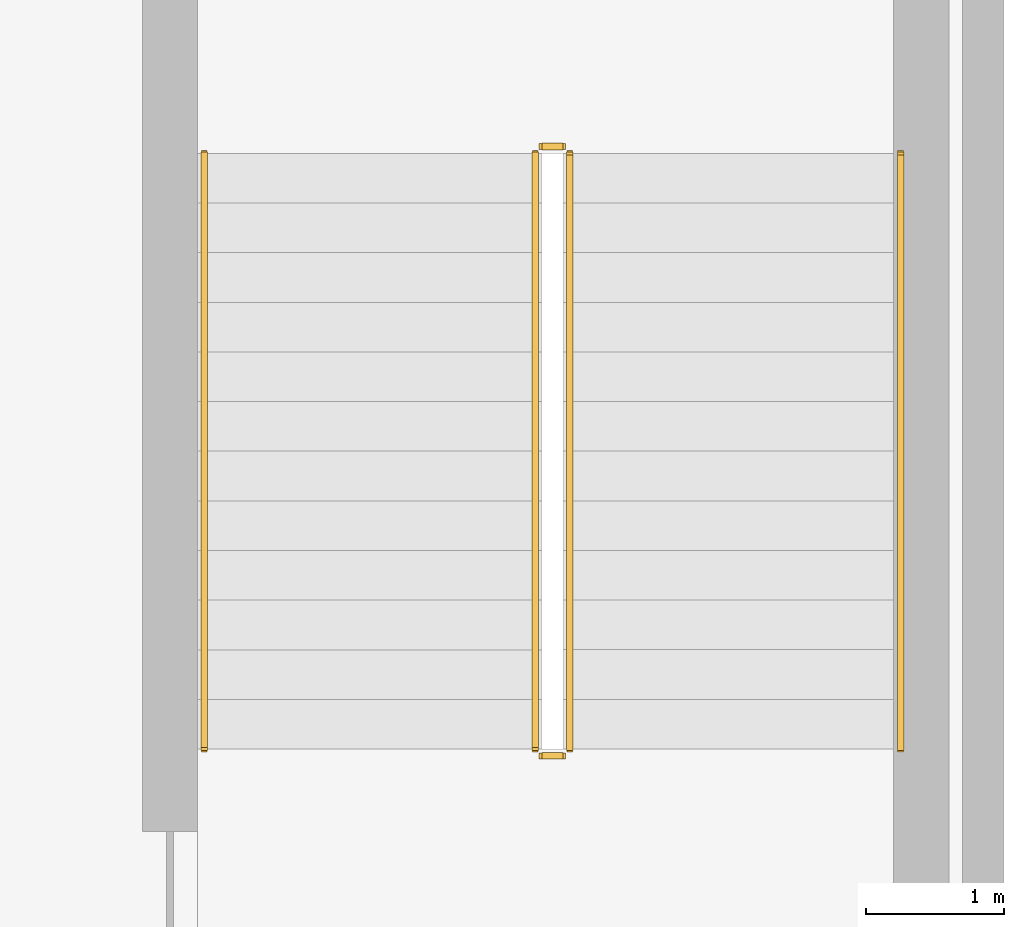
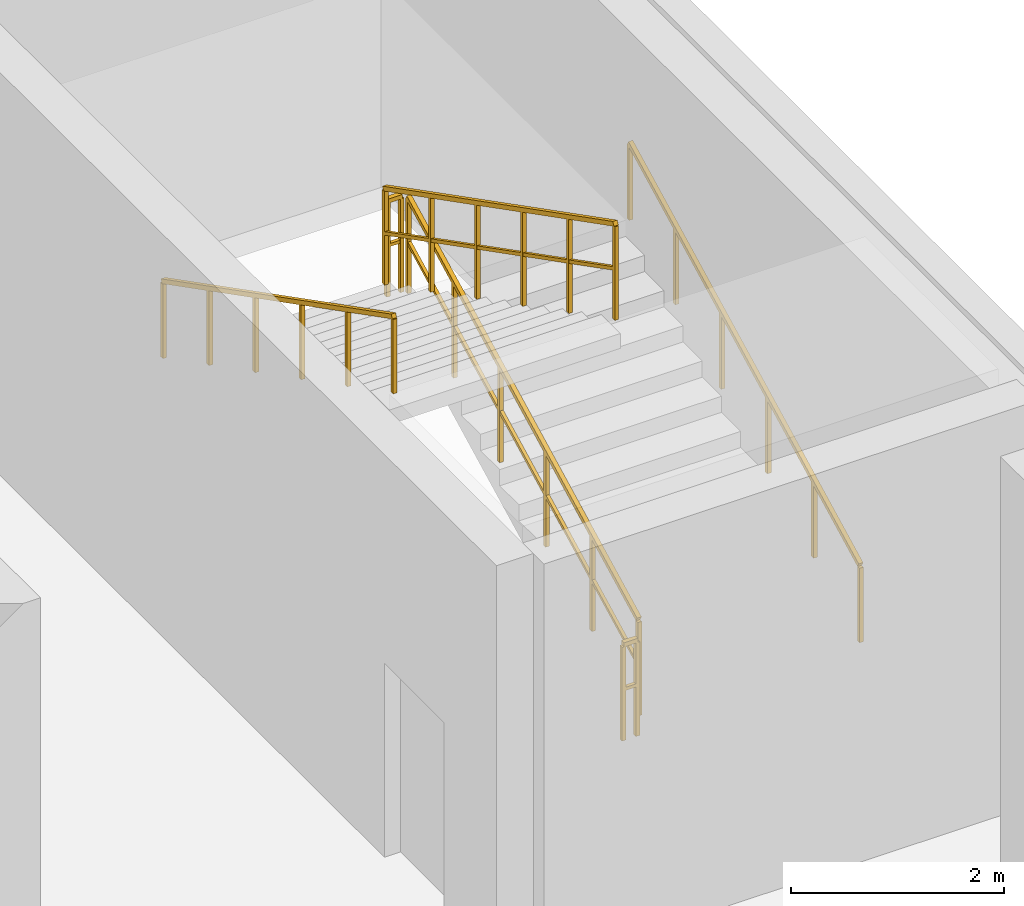
# One storey, part 32 of 33: 6 railings.
"""IFC4 building model written with IfcOpenShell, lengths in metres."""

from ifc_helpers import new_model, si_unit, direction, frame, origin, origin_2d, place, context, subcontext, project, spatial, rectangle, extrude, material, type_object, element, save


model = new_model("IFC4")

# Units and contexts
model_context = context("Model", 3, precision=1e-05, world=origin(), true_north=direction((0.0, 1.0)))
body_context = subcontext(model_context, "Body", "Model", "MODEL_VIEW")
ifc_project = project(units=[si_unit("LENGTHUNIT", "METRE"), si_unit("AREAUNIT", "SQUARE_METRE"), si_unit("VOLUMEUNIT", "CUBIC_METRE"), si_unit("PLANEANGLEUNIT", "RADIAN"), si_unit("MASSUNIT", "GRAM", prefix="KILO")], contexts=[model_context])

# Site, building, storey
site_placement = place(None, origin())
site = spatial("IfcSite", under=ifc_project, at=site_placement, CompositionType="ELEMENT")
building_placement = place(site_placement, origin())
building = spatial("IfcBuilding", under=site, at=building_placement, Name="Zuhayl Quay Hotel", CompositionType="ELEMENT")
storey_placement = place(building_placement, frame((0.0, 0.0, 18.0)))
storey = spatial("IfcBuildingStorey", under=building, at=storey_placement, Name="L03", CompositionType="ELEMENT", Elevation=18.0)

# Railings
ifc_material = material(Name="Steel ASTM A992 Grade 50", Category="steel")
railing_type_1 = type_object("IfcRailingType", Name="RL_GUARD_1100", PredefinedType="GUARDRAIL", material=ifc_material)
railing_1_placement = place(storey_placement, frame((33.0, 4.10009765625, 0.1845703125)))
element("IfcRailing", 1, at=railing_1_placement, inside=storey, type_object=railing_type_1, Name="L03 ST4 stair guard 1", PredefinedType="GUARDRAIL", context=body_context, shape_type="SweptSolid", body=[
    extrude(rectangle(XDim=0.048095703125, YDim=0.048095703125, at=origin_2d()), frame((0.0, 0.0, 1.09619140625), z_axis=(0.0, 0.889814321363, 0.456322773372), x_axis=(-1.0, 0.0, 0.0)), (0.0, 0.0, 1.0), 4.854736328125),
    extrude(rectangle(XDim=0.0361328125, YDim=0.0361328125, at=origin_2d()), frame((0.0, 0.0, 0.58251953125), z_axis=(0.0, 0.889814321363, 0.456322773372), x_axis=(-1.0, 0.0, 0.0)), (0.0, 0.0, 1.0), 4.854736328125),
    extrude(rectangle(XDim=0.0419921875, YDim=0.0419921875, at=origin_2d()), origin(), (0.0, 0.0, 1.0), 1.072021484375),
    extrude(rectangle(XDim=0.0419921875, YDim=0.0419921875, at=origin_2d()), frame((0.0, 0.864013671875, 0.443115234375)), (0.0, 0.0, 1.0), 1.072021484375),
    extrude(rectangle(XDim=0.0419921875, YDim=0.0419921875, at=origin_2d()), frame((0.0, 1.72802734375, 0.88623046875)), (0.0, 0.0, 1.0), 1.072021484375),
    extrude(rectangle(XDim=0.0419921875, YDim=0.0419921875, at=origin_2d()), frame((0.0, 2.591796875, 1.3291015625)), (0.0, 0.0, 1.0), 1.072021484375),
    extrude(rectangle(XDim=0.0419921875, YDim=0.0419921875, at=origin_2d()), frame((0.0, 3.455810546875, 1.772216796875)), (0.0, 0.0, 1.0), 1.072021484375),
    extrude(rectangle(XDim=0.0419921875, YDim=0.0419921875, at=origin_2d()), frame((0.0, 4.31982421875, 2.21533203125)), (0.0, 0.0, 1.0), 1.072021484375),
])
railing_2_placement = place(storey_placement, frame((32.949951171875, 8.469970703125, 2.39990234375)))
element("IfcRailing", 2, at=railing_2_placement, inside=storey, type_object=railing_type_1, Name="L03 ST4 stair guard 2", PredefinedType="GUARDRAIL", context=body_context, shape_type="SweptSolid", body=[
    extrude(rectangle(XDim=0.048095703125, YDim=0.048095703125, at=origin_2d()), frame((0.0, 0.0, 1.09619140625), z_axis=(-1.0, 0.0, 0.0), x_axis=(0.0, -1.0, 0.0)), (0.0, 0.0, 1.0), 0.14990234375),
    extrude(rectangle(XDim=0.0361328125, YDim=0.0361328125, at=origin_2d()), frame((0.0, 0.0, 0.58251953125), z_axis=(-1.0, 0.0, 0.0), x_axis=(0.0, -1.0, 0.0)), (0.0, 0.0, 1.0), 0.14990234375),
    extrude(rectangle(XDim=0.0419921875, YDim=0.0419921875, at=origin_2d()), origin(), (0.0, 0.0, 1.0), 1.072021484375),
    extrude(rectangle(XDim=0.0419921875, YDim=0.0419921875, at=origin_2d()), frame((-0.14990234375, 0.0, 0.0)), (0.0, 0.0, 1.0), 1.072021484375),
])
railing_3_placement = place(storey_placement, frame((32.75, 8.419921875, 2.584716796875)))
element("IfcRailing", 3, at=railing_3_placement, inside=storey, type_object=railing_type_1, Name="L03 ST4 stair guard 3", PredefinedType="GUARDRAIL", context=body_context, shape_type="SweptSolid", body=[
    extrude(rectangle(XDim=0.048095703125, YDim=0.048095703125, at=origin_2d()), frame((0.0, 0.0, 1.09619140625), z_axis=(0.0, -0.889814321363, 0.456322773372), x_axis=(1.0, 0.0, 0.0)), (0.0, 0.0, 1.0), 4.854736328125),
    extrude(rectangle(XDim=0.0361328125, YDim=0.0361328125, at=origin_2d()), frame((0.0, 0.0, 0.58251953125), z_axis=(0.0, -0.889814321363, 0.456322773372), x_axis=(1.0, 0.0, 0.0)), (0.0, 0.0, 1.0), 4.854736328125),
    extrude(rectangle(XDim=0.0419921875, YDim=0.0419921875, at=origin_2d()), origin(), (0.0, 0.0, 1.0), 1.072021484375),
    extrude(rectangle(XDim=0.0419921875, YDim=0.0419921875, at=origin_2d()), frame((0.0, -0.864013671875, 0.443115234375)), (0.0, 0.0, 1.0), 1.072021484375),
    extrude(rectangle(XDim=0.0419921875, YDim=0.0419921875, at=origin_2d()), frame((0.0, -1.72802734375, 0.88623046875)), (0.0, 0.0, 1.0), 1.072021484375),
    extrude(rectangle(XDim=0.0419921875, YDim=0.0419921875, at=origin_2d()), frame((0.0, -2.591796875, 1.3291015625)), (0.0, 0.0, 1.0), 1.072021484375),
    extrude(rectangle(XDim=0.0419921875, YDim=0.0419921875, at=origin_2d()), frame((0.0, -3.455810546875, 1.772216796875)), (0.0, 0.0, 1.0), 1.072021484375),
    extrude(rectangle(XDim=0.0419921875, YDim=0.0419921875, at=origin_2d()), frame((0.0, -4.31982421875, 2.21533203125)), (0.0, 0.0, 1.0), 1.072021484375),
])
railing_4_placement = place(storey_placement, frame((32.949951171875, 4.050048828125, 0.0)))
element("IfcRailing", 4, at=railing_4_placement, inside=storey, type_object=railing_type_1, Name="L03 ST4 stair guard 4", PredefinedType="GUARDRAIL", context=body_context, shape_type="SweptSolid", body=[
    extrude(rectangle(XDim=0.048095703125, YDim=0.048095703125, at=origin_2d()), frame((0.0, 0.0, 1.09619140625), z_axis=(-1.0, 0.0, 0.0), x_axis=(0.0, -1.0, 0.0)), (0.0, 0.0, 1.0), 0.14990234375),
    extrude(rectangle(XDim=0.0361328125, YDim=0.0361328125, at=origin_2d()), frame((0.0, 0.0, 0.58251953125), z_axis=(-1.0, 0.0, 0.0), x_axis=(0.0, -1.0, 0.0)), (0.0, 0.0, 1.0), 0.14990234375),
    extrude(rectangle(XDim=0.0419921875, YDim=0.0419921875, at=origin_2d()), origin(), (0.0, 0.0, 1.0), 1.072021484375),
    extrude(rectangle(XDim=0.0419921875, YDim=0.0419921875, at=origin_2d()), frame((-0.14990234375, 0.0, 0.0)), (0.0, 0.0, 1.0), 1.072021484375),
])
railing_type_2 = type_object("IfcRailingType", Name="RL_HANDRAIL_920", PredefinedType="HANDRAIL", material=ifc_material)
railing_5_placement = place(storey_placement, frame((35.39990234375, 4.10009765625, 0.1845703125)))
element("IfcRailing", 5, at=railing_5_placement, inside=storey, type_object=railing_type_2, Name="L03 ST4 stair handrail 1", PredefinedType="HANDRAIL", context=body_context, shape_type="SweptSolid", body=[
    extrude(rectangle(XDim=0.048095703125, YDim=0.048095703125, at=origin_2d()), frame((0.0, 0.0, 0.8759765625), z_axis=(0.0, 0.889814321363, 0.456322773372), x_axis=(-1.0, 0.0, 0.0)), (0.0, 0.0, 1.0), 4.854736328125),
    extrude(rectangle(XDim=0.0419921875, YDim=0.0419921875, at=origin_2d()), origin(), (0.0, 0.0, 1.0), 0.851806640625),
    extrude(rectangle(XDim=0.0419921875, YDim=0.0419921875, at=origin_2d()), frame((0.0, 0.864013671875, 0.443115234375)), (0.0, 0.0, 1.0), 0.851806640625),
    extrude(rectangle(XDim=0.0419921875, YDim=0.0419921875, at=origin_2d()), frame((0.0, 1.72802734375, 0.88623046875)), (0.0, 0.0, 1.0), 0.851806640625),
    extrude(rectangle(XDim=0.0419921875, YDim=0.0419921875, at=origin_2d()), frame((0.0, 2.591796875, 1.3291015625)), (0.0, 0.0, 1.0), 0.851806640625),
    extrude(rectangle(XDim=0.0419921875, YDim=0.0419921875, at=origin_2d()), frame((0.0, 3.455810546875, 1.772216796875)), (0.0, 0.0, 1.0), 0.851806640625),
    extrude(rectangle(XDim=0.0419921875, YDim=0.0419921875, at=origin_2d()), frame((0.0, 4.31982421875, 2.21533203125)), (0.0, 0.0, 1.0), 0.851806640625),
])
railing_6_placement = place(storey_placement, frame((30.35009765625, 8.419921875, 2.584716796875)))
element("IfcRailing", 6, at=railing_6_placement, inside=storey, type_object=railing_type_2, Name="L03 ST4 stair handrail 2", PredefinedType="HANDRAIL", context=body_context, shape_type="SweptSolid", body=[
    extrude(rectangle(XDim=0.048095703125, YDim=0.048095703125, at=origin_2d()), frame((0.0, 0.0, 0.8759765625), z_axis=(0.0, -0.889814321363, 0.456322773372), x_axis=(1.0, 0.0, 0.0)), (0.0, 0.0, 1.0), 4.854736328125),
    extrude(rectangle(XDim=0.0419921875, YDim=0.0419921875, at=origin_2d()), origin(), (0.0, 0.0, 1.0), 0.851806640625),
    extrude(rectangle(XDim=0.0419921875, YDim=0.0419921875, at=origin_2d()), frame((0.0, -0.864013671875, 0.443115234375)), (0.0, 0.0, 1.0), 0.851806640625),
    extrude(rectangle(XDim=0.0419921875, YDim=0.0419921875, at=origin_2d()), frame((0.0, -1.72802734375, 0.88623046875)), (0.0, 0.0, 1.0), 0.851806640625),
    extrude(rectangle(XDim=0.0419921875, YDim=0.0419921875, at=origin_2d()), frame((0.0, -2.591796875, 1.3291015625)), (0.0, 0.0, 1.0), 0.851806640625),
    extrude(rectangle(XDim=0.0419921875, YDim=0.0419921875, at=origin_2d()), frame((0.0, -3.455810546875, 1.772216796875)), (0.0, 0.0, 1.0), 0.851806640625),
    extrude(rectangle(XDim=0.0419921875, YDim=0.0419921875, at=origin_2d()), frame((0.0, -4.31982421875, 2.21533203125)), (0.0, 0.0, 1.0), 0.851806640625),
])

save(model, "model.ifc")
